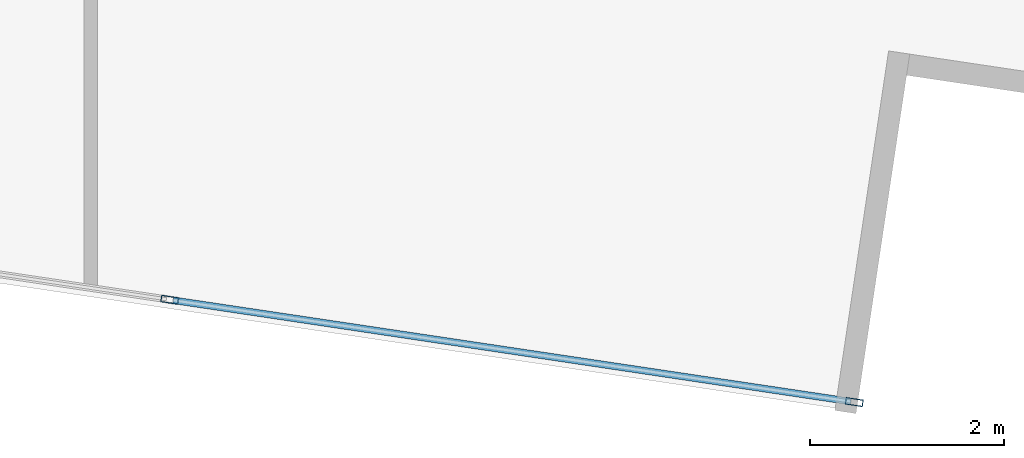
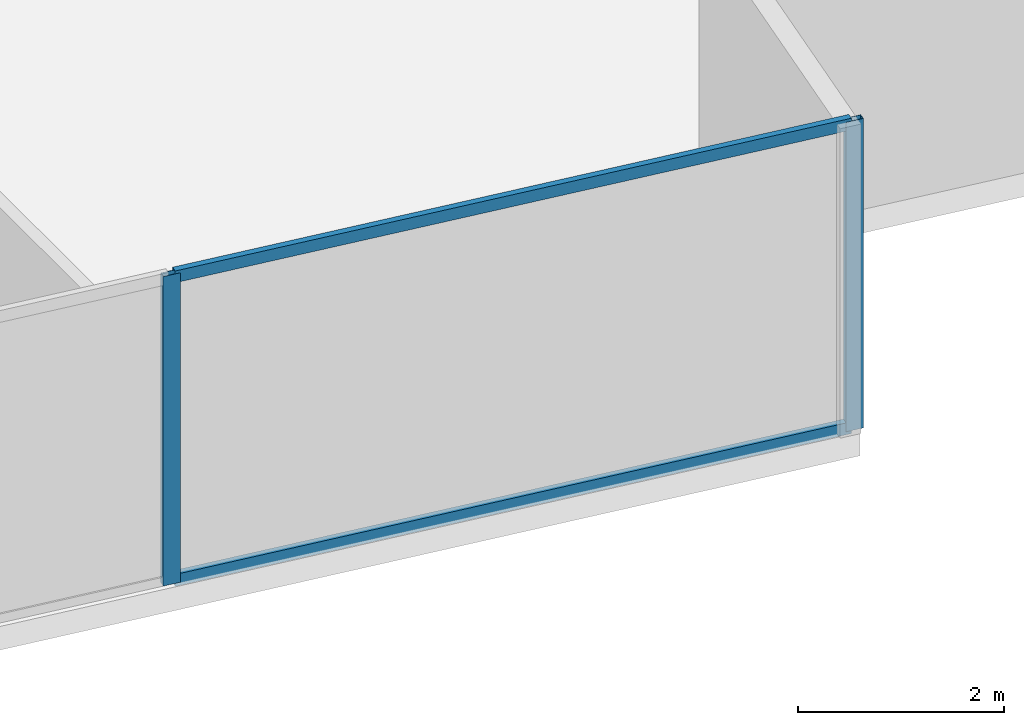
# One storey, part 10 of 29: 4 members, 1 element without a shape of its own.
"""IFC4 building model written with IfcOpenShell, lengths in metres."""

from ifc_helpers import new_model, si_unit, direction, frame, origin, origin_2d, place, context, subcontext, project, spatial, hollow_rectangle, extrude, source, transform, mapped, material, material_profile, profile_set, type_object, type_shapes, element, aggregate, save


model = new_model("IFC4")

# Units and contexts
model_context = context("Model", 3, precision=1e-05, world=origin(), true_north=direction((0.0, 1.0)))
body_context = subcontext(model_context, "Body", "Model", "MODEL_VIEW")
ifc_project = project(units=[si_unit("LENGTHUNIT", "METRE"), si_unit("AREAUNIT", "SQUARE_METRE"), si_unit("VOLUMEUNIT", "CUBIC_METRE"), si_unit("PLANEANGLEUNIT", "RADIAN"), si_unit("MASSUNIT", "GRAM", prefix="KILO")], contexts=[model_context])

# Site, building, storey
site_placement = place(None, origin())
site = spatial("IfcSite", under=ifc_project, at=site_placement, CompositionType="ELEMENT")
building_placement = place(site_placement, origin())
building = spatial("IfcBuilding", under=site, at=building_placement, Name="Krantzveldt Concourse Tower", CompositionType="ELEMENT")
storey_placement = place(building_placement, frame((0.0, 0.0, 68.449951171875)))
storey = spatial("IfcBuildingStorey", under=building, at=storey_placement, Name="L16", CompositionType="ELEMENT", Elevation=68.449951171875)

# Curtain wall, members
ifc_material = material(Name="Anodised aluminium 6063-T6", Category="aluminium")
curtain_wall_type = type_object("IfcCurtainWallType", Name="CW2", PredefinedType="USERDEFINED", material=ifc_material)
curtain_wall_placement = place(storey_placement, origin())
curtain_wall = element("IfcCurtainWall", 1, at=curtain_wall_placement, inside=storey, type_object=curtain_wall_type, Name="CW-L16-F04", ObjectType="UNITISED CURTAIN WALL", PredefinedType="USERDEFINED")
ifc_material_profile_1 = material_profile(ifc_material, hollow_rectangle(XDim=0.070068359375, YDim=0.139892578125, WallThickness=0.0048828125, at=origin_2d()), Name="Anodised aluminium 6063-T6", Category="aluminium")
ifc_profile_set_1 = profile_set([ifc_material_profile_1], Name="Anodised aluminium 6063-T6 - ALU-TRAN 140x70x5")
member_type_1 = type_object("IfcMemberType", Name="CW-TRN-150", PredefinedType="USERDEFINED", material=ifc_profile_set_1)
shared_shape_1 = source(origin(), body_context, "Body", "SweptSolid", [
    extrude(hollow_rectangle(XDim=0.070068359375, YDim=0.139892578125, WallThickness=0.0048828125, at=origin_2d()), origin(), (0.0, 0.0, 1.0), 7.061767578125),
])
type_shapes(member_type_1, [shared_shape_1])
member_1_placement = place(storey_placement, frame((46.528564453125, -0.06005859375, 0.03515625), z_axis=(0.989012551714, -0.147831568187, 0.0), x_axis=(0.147831568187, 0.989012551714, 0.0)))
member_1 = element("IfcMember", 2, at=member_1_placement, type_object=member_type_1, Name="CW-Z12 transom 6.1", ObjectType="TRANSOM", PredefinedType="USERDEFINED", context=body_context, shape_type="MappedRepresentation", body=[
    mapped(shared_shape_1, transform((0.0, 0.0, 0.0), x_axis=(1.0, 0.0, 0.0), y_axis=(0.0, 1.0, 0.0), z_axis=(0.0, 0.0, 1.0), scale=1.0)),
])
member_2_placement = place(storey_placement, frame((46.528564453125, -0.06005859375, 3.635009765625), z_axis=(0.989012551714, -0.147831568187, 0.0), x_axis=(0.147831568187, 0.989012551714, 0.0)))
member_2 = element("IfcMember", 3, at=member_2_placement, type_object=member_type_1, Name="CW-Z12 transom 6.2", ObjectType="TRANSOM", PredefinedType="USERDEFINED", context=body_context, shape_type="MappedRepresentation", body=[
    mapped(shared_shape_1, transform((0.0, 0.0, 0.0), x_axis=(1.0, 0.0, 0.0), y_axis=(0.0, 1.0, 0.0), z_axis=(0.0, 0.0, 1.0), scale=1.0)),
])
ifc_material_profile_2 = material_profile(ifc_material, hollow_rectangle(XDim=0.070068359375, YDim=0.179931640625, WallThickness=0.0048828125, at=origin_2d()), Name="Anodised aluminium 6063-T6", Category="aluminium")
ifc_profile_set_2 = profile_set([ifc_material_profile_2], Name="Anodised aluminium 6063-T6 - ALU-MULL 180x70x5")
member_type_2 = type_object("IfcMemberType", Name="CW-MUL-180", PredefinedType="MULLION", material=ifc_profile_set_2)
shared_shape_2 = source(origin(), body_context, "Body", "SweptSolid", [
    extrude(hollow_rectangle(XDim=0.070068359375, YDim=0.179931640625, WallThickness=0.0048828125, at=origin_2d()), origin(), (0.0, 0.0, 1.0), 3.670166015625),
])
type_shapes(member_type_2, [shared_shape_2])
member_3_placement = place(storey_placement, frame((46.493896484375, -0.054931640625, 0.0), z_axis=(0.0, 0.0, 1.0), x_axis=(0.147809505412, 0.989015849271, 0.0)))
member_3 = element("IfcMember", 4, at=member_3_placement, type_object=member_type_2, Name="CW-Z12 mullion 6", PredefinedType="MULLION", context=body_context, shape_type="MappedRepresentation", body=[
    mapped(shared_shape_2, transform((0.0, 0.0, 0.0), x_axis=(1.0, 0.0, 0.0), y_axis=(0.0, 1.0, 0.0), z_axis=(0.0, 0.0, 1.0), scale=1.0)),
])
member_4_placement = place(storey_placement, frame((53.54736328125, -1.109130859375, 0.0), z_axis=(0.0, 0.0, 1.0), x_axis=(0.147809505412, 0.989015849271, 0.0)))
member_4 = element("IfcMember", 5, at=member_4_placement, type_object=member_type_2, Name="CW-Z12 mullion 7", PredefinedType="MULLION", context=body_context, shape_type="MappedRepresentation", body=[
    mapped(shared_shape_2, transform((0.0, 0.0, 0.0), x_axis=(1.0, 0.0, 0.0), y_axis=(0.0, 1.0, 0.0), z_axis=(0.0, 0.0, 1.0), scale=1.0)),
])
aggregate(curtain_wall, [member_3, member_4, member_1, member_2])

save(model, "model.ifc")
